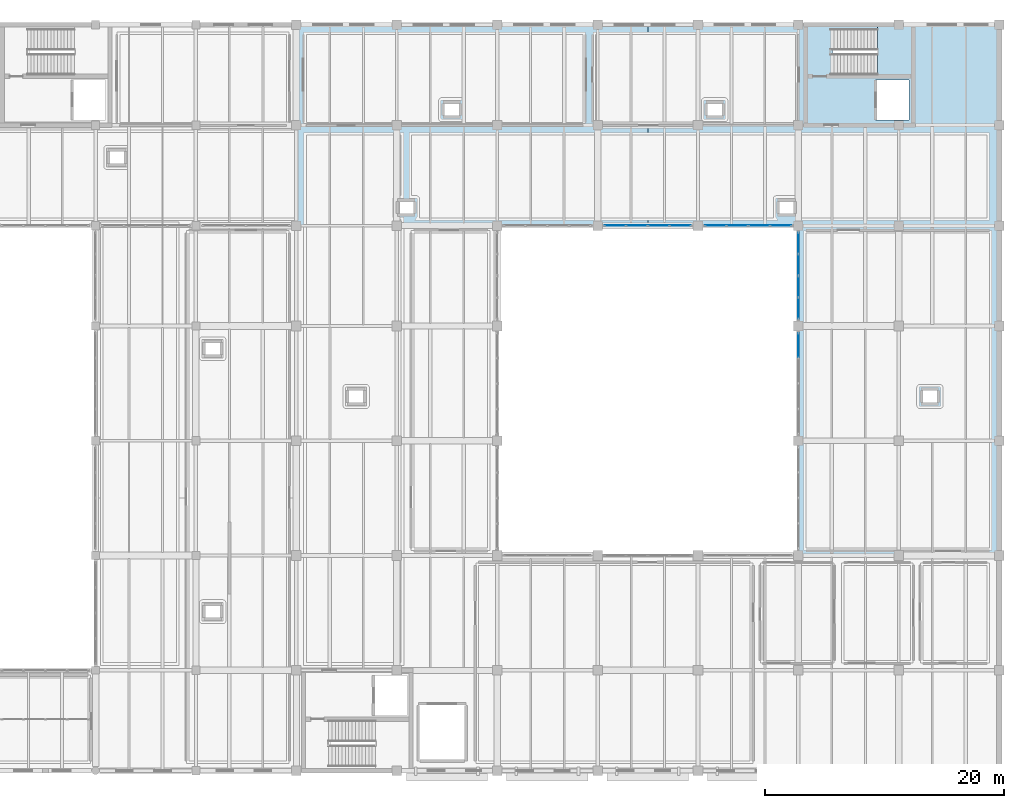
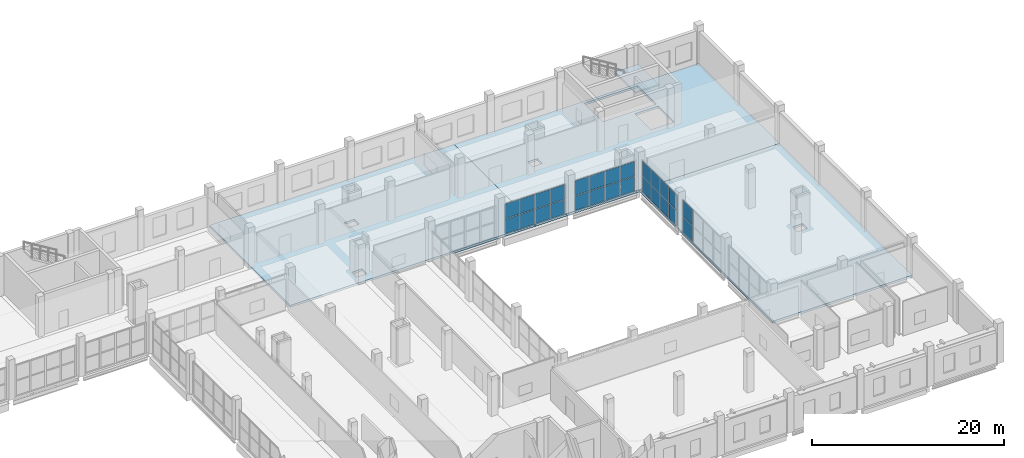
# One storey, part 53 of 73: 26 plates, 4 slabs, 5 elements without a shape of their own.
"""IFC4 building model written with IfcOpenShell, lengths in metres."""

from ifc_helpers import new_model, si_unit, direction, frame, origin, origin_2d, place, context, subcontext, project, spatial, polyline, rectangle, outline, extrude, material, layer, layer_set, type_object, element, aggregate, save


model = new_model("IFC4")

# Units and contexts
model_context = context("Model", 3, precision=1e-05, world=origin(), true_north=direction((0.0, 1.0)))
body_context = subcontext(model_context, "Body", "Model", "MODEL_VIEW")
ifc_project = project(units=[si_unit("LENGTHUNIT", "METRE"), si_unit("AREAUNIT", "SQUARE_METRE"), si_unit("VOLUMEUNIT", "CUBIC_METRE"), si_unit("PLANEANGLEUNIT", "RADIAN"), si_unit("MASSUNIT", "GRAM", prefix="KILO")], contexts=[model_context])

# Site, building, storey
site_placement = place(None, origin())
site = spatial("IfcSite", under=ifc_project, at=site_placement, CompositionType="ELEMENT")
building_placement = place(site_placement, origin())
building = spatial("IfcBuilding", under=site, at=building_placement, Name="Zulmaris Art Gallery", CompositionType="ELEMENT")
storey_placement = place(building_placement, frame((0.0, 0.0, 10.5)))
storey = spatial("IfcBuildingStorey", under=building, at=storey_placement, Name="L02", CompositionType="ELEMENT", Elevation=10.5)

# Curtain wall, plates
ifc_material_1 = material(Name="Courtyard Artists Studio Curtain Wall", Category="aluminium")
ifc_layer_1 = layer(ifc_material_1, 0.179931640625)
ifc_layer_set_1 = layer_set([ifc_layer_1], Name="Courtyard Artists Studio Curtain Wall")
curtain_wall_type = type_object("IfcCurtainWallType", Name="CW-CW04", PredefinedType="NOTDEFINED", material=ifc_layer_set_1)
curtain_wall_1_placement = place(storey_placement, origin())
curtain_wall_1 = element("IfcCurtainWall", 1, at=curtain_wall_1_placement, inside=storey, type_object=curtain_wall_type, Name="L02 curtain wall 138", PredefinedType="NOTDEFINED")
ifc_material_2 = material(Name="Triple Solar-Control Laminated Glass", Category="glass")
ifc_layer_2 = layer(ifc_material_2, 0.035888671875)
ifc_layer_set_2 = layer_set([ifc_layer_2], Name="Triple Solar-Control Laminated Glass")
plate_type = type_object("IfcPlateType", Name="CWPAN-GLZ", PredefinedType="CURTAIN_PANEL", material=ifc_layer_set_2)
plate_1_placement = place(storey_placement, frame((183.60009765625, 48.7763671875, 0.0751953125), z_axis=(0.0, 0.0, 1.0), x_axis=(0.0, -1.0, 0.0)))
plate_1 = element("IfcPlate", 2, at=plate_1_placement, type_object=plate_type, Name="CW04 panel 1.1", PredefinedType="CURTAIN_PANEL", context=body_context, shape_type="SweptSolid", body=[
    extrude(rectangle(XDim=2.017578125, YDim=0.031982421875, at=origin_2d()), origin(), (0.0, 0.0, 1.0), 1.992431640625),
])
plate_2_placement = place(storey_placement, frame((183.60009765625, 48.7763671875, 2.142578125), z_axis=(0.0, 0.0, 1.0), x_axis=(0.0, -1.0, 0.0)))
plate_2 = element("IfcPlate", 3, at=plate_2_placement, type_object=plate_type, Name="CW04 panel 1.2", PredefinedType="CURTAIN_PANEL", context=body_context, shape_type="SweptSolid", body=[
    extrude(rectangle(XDim=2.017578125, YDim=0.031982421875, at=origin_2d()), origin(), (0.0, 0.0, 1.0), 1.992431640625),
])
aggregate(curtain_wall_1, [plate_1, plate_2])

curtain_wall_2_placement = place(storey_placement, origin())
curtain_wall_2 = element("IfcCurtainWall", 4, at=curtain_wall_2_placement, inside=storey, type_object=curtain_wall_type, Name="L02 curtain wall 140", PredefinedType="NOTDEFINED")
plate_3_placement = place(storey_placement, frame((183.60009765625, 57.326171875, 0.074951171875), z_axis=(0.0, 0.0, 1.0), x_axis=(0.0, -1.0, 0.0)))
plate_3 = element("IfcPlate", 5, at=plate_3_placement, type_object=plate_type, Name="CW04 panel 1.1", PredefinedType="CURTAIN_PANEL", context=body_context, shape_type="SweptSolid", body=[
    extrude(rectangle(XDim=1.717529296875, YDim=0.031982421875, at=origin_2d()), origin(), (0.0, 0.0, 1.0), 1.9375),
])
plate_4_placement = place(storey_placement, frame((183.60009765625, 57.326171875, 2.08740234375), z_axis=(0.0, 0.0, 1.0), x_axis=(0.0, -1.0, 0.0)))
plate_4 = element("IfcPlate", 6, at=plate_4_placement, type_object=plate_type, Name="CW04 panel 1.2", PredefinedType="CURTAIN_PANEL", context=body_context, shape_type="SweptSolid", body=[
    extrude(rectangle(XDim=1.717529296875, YDim=0.031982421875, at=origin_2d()), origin(), (0.0, 0.0, 1.0), 1.9375),
])
plate_5_placement = place(storey_placement, frame((183.60009765625, 55.514892578125, 0.074951171875), z_axis=(0.0, 0.0, 1.0), x_axis=(0.0, -1.0, 0.0)))
plate_5 = element("IfcPlate", 7, at=plate_5_placement, type_object=plate_type, Name="CW04 panel 2.1", PredefinedType="CURTAIN_PANEL", context=body_context, shape_type="SweptSolid", body=[
    extrude(rectangle(XDim=1.7548828125, YDim=0.031982421875, at=origin_2d()), origin(), (0.0, 0.0, 1.0), 1.9375),
])
plate_6_placement = place(storey_placement, frame((183.60009765625, 55.514892578125, 2.08740234375), z_axis=(0.0, 0.0, 1.0), x_axis=(0.0, -1.0, 0.0)))
plate_6 = element("IfcPlate", 8, at=plate_6_placement, type_object=plate_type, Name="CW04 panel 2.2", PredefinedType="CURTAIN_PANEL", context=body_context, shape_type="SweptSolid", body=[
    extrude(rectangle(XDim=1.7548828125, YDim=0.031982421875, at=origin_2d()), origin(), (0.0, 0.0, 1.0), 1.9375),
])
plate_7_placement = place(storey_placement, frame((183.60009765625, 53.68505859375, 0.074951171875), z_axis=(0.0, 0.0, 1.0), x_axis=(0.0, -1.0, 0.0)))
plate_7 = element("IfcPlate", 9, at=plate_7_placement, type_object=plate_type, Name="CW04 panel 3.1", PredefinedType="CURTAIN_PANEL", context=body_context, shape_type="SweptSolid", body=[
    extrude(rectangle(XDim=1.7548828125, YDim=0.031982421875, at=origin_2d()), origin(), (0.0, 0.0, 1.0), 1.9375),
])
plate_8_placement = place(storey_placement, frame((183.60009765625, 53.68505859375, 2.08740234375), z_axis=(0.0, 0.0, 1.0), x_axis=(0.0, -1.0, 0.0)))
plate_8 = element("IfcPlate", 10, at=plate_8_placement, type_object=plate_type, Name="CW04 panel 3.2", PredefinedType="CURTAIN_PANEL", context=body_context, shape_type="SweptSolid", body=[
    extrude(rectangle(XDim=1.7548828125, YDim=0.031982421875, at=origin_2d()), origin(), (0.0, 0.0, 1.0), 1.9375),
])
plate_9_placement = place(storey_placement, frame((183.60009765625, 51.873779296875, 0.074951171875), z_axis=(0.0, 0.0, 1.0), x_axis=(0.0, -1.0, 0.0)))
plate_9 = element("IfcPlate", 11, at=plate_9_placement, type_object=plate_type, Name="CW04 panel 4.1", PredefinedType="CURTAIN_PANEL", context=body_context, shape_type="SweptSolid", body=[
    extrude(rectangle(XDim=1.717529296875, YDim=0.031982421875, at=origin_2d()), origin(), (0.0, 0.0, 1.0), 1.9375),
])
plate_10_placement = place(storey_placement, frame((183.60009765625, 51.873779296875, 2.08740234375), z_axis=(0.0, 0.0, 1.0), x_axis=(0.0, -1.0, 0.0)))
plate_10 = element("IfcPlate", 12, at=plate_10_placement, type_object=plate_type, Name="CW04 panel 4.2", PredefinedType="CURTAIN_PANEL", context=body_context, shape_type="SweptSolid", body=[
    extrude(rectangle(XDim=1.717529296875, YDim=0.031982421875, at=origin_2d()), origin(), (0.0, 0.0, 1.0), 1.9375),
])
aggregate(curtain_wall_2, [plate_3, plate_4, plate_5, plate_6, plate_7, plate_8, plate_9, plate_10])

curtain_wall_3_placement = place(storey_placement, origin())
curtain_wall_3 = element("IfcCurtainWall", 13, at=curtain_wall_3_placement, inside=storey, type_object=curtain_wall_type, Name="L02 curtain wall 143", PredefinedType="NOTDEFINED")
plate_11_placement = place(storey_placement, frame((173.726318359375, 58.800048828125, 0.074951171875), z_axis=(0.0, 0.0, 1.0), x_axis=(-1.0, 0.0, 0.0)))
plate_11 = element("IfcPlate", 14, at=plate_11_placement, type_object=plate_type, Name="CW04 panel 1.1", PredefinedType="CURTAIN_PANEL", context=body_context, shape_type="SweptSolid", body=[
    extrude(rectangle(XDim=1.717529296875, YDim=0.031982421875, at=origin_2d()), origin(), (0.0, 0.0, 1.0), 1.83740234375),
])
plate_12_placement = place(storey_placement, frame((173.726318359375, 58.800048828125, 1.987548828125), z_axis=(0.0, 0.0, 1.0), x_axis=(-1.0, 0.0, 0.0)))
plate_12 = element("IfcPlate", 15, at=plate_12_placement, type_object=plate_type, Name="CW04 panel 1.2", PredefinedType="CURTAIN_PANEL", context=body_context, shape_type="SweptSolid", body=[
    extrude(rectangle(XDim=1.717529296875, YDim=0.031982421875, at=origin_2d()), origin(), (0.0, 0.0, 1.0), 1.83740234375),
])
plate_13_placement = place(storey_placement, frame((171.9150390625, 58.800048828125, 0.074951171875), z_axis=(0.0, 0.0, 1.0), x_axis=(-1.0, 0.0, 0.0)))
plate_13 = element("IfcPlate", 16, at=plate_13_placement, type_object=plate_type, Name="CW04 panel 2.1", PredefinedType="CURTAIN_PANEL", context=body_context, shape_type="SweptSolid", body=[
    extrude(rectangle(XDim=1.7548828125, YDim=0.031982421875, at=origin_2d()), origin(), (0.0, 0.0, 1.0), 1.83740234375),
])
plate_14_placement = place(storey_placement, frame((171.9150390625, 58.800048828125, 1.987548828125), z_axis=(0.0, 0.0, 1.0), x_axis=(-1.0, 0.0, 0.0)))
plate_14 = element("IfcPlate", 17, at=plate_14_placement, type_object=plate_type, Name="CW04 panel 2.2", PredefinedType="CURTAIN_PANEL", context=body_context, shape_type="SweptSolid", body=[
    extrude(rectangle(XDim=1.7548828125, YDim=0.031982421875, at=origin_2d()), origin(), (0.0, 0.0, 1.0), 1.83740234375),
])
plate_15_placement = place(storey_placement, frame((170.0849609375, 58.800048828125, 0.074951171875), z_axis=(0.0, 0.0, 1.0), x_axis=(-1.0, 0.0, 0.0)))
plate_15 = element("IfcPlate", 18, at=plate_15_placement, type_object=plate_type, Name="CW04 panel 3.1", PredefinedType="CURTAIN_PANEL", context=body_context, shape_type="SweptSolid", body=[
    extrude(rectangle(XDim=1.7548828125, YDim=0.031982421875, at=origin_2d()), origin(), (0.0, 0.0, 1.0), 1.83740234375),
])
plate_16_placement = place(storey_placement, frame((170.0849609375, 58.800048828125, 1.987548828125), z_axis=(0.0, 0.0, 1.0), x_axis=(-1.0, 0.0, 0.0)))
plate_16 = element("IfcPlate", 19, at=plate_16_placement, type_object=plate_type, Name="CW04 panel 3.2", PredefinedType="CURTAIN_PANEL", context=body_context, shape_type="SweptSolid", body=[
    extrude(rectangle(XDim=1.7548828125, YDim=0.031982421875, at=origin_2d()), origin(), (0.0, 0.0, 1.0), 1.83740234375),
])
plate_17_placement = place(storey_placement, frame((168.273681640625, 58.800048828125, 0.074951171875), z_axis=(0.0, 0.0, 1.0), x_axis=(-1.0, 0.0, 0.0)))
plate_17 = element("IfcPlate", 20, at=plate_17_placement, type_object=plate_type, Name="CW04 panel 4.1", PredefinedType="CURTAIN_PANEL", context=body_context, shape_type="SweptSolid", body=[
    extrude(rectangle(XDim=1.717529296875, YDim=0.031982421875, at=origin_2d()), origin(), (0.0, 0.0, 1.0), 1.83740234375),
])
plate_18_placement = place(storey_placement, frame((168.273681640625, 58.800048828125, 1.987548828125), z_axis=(0.0, 0.0, 1.0), x_axis=(-1.0, 0.0, 0.0)))
plate_18 = element("IfcPlate", 21, at=plate_18_placement, type_object=plate_type, Name="CW04 panel 4.2", PredefinedType="CURTAIN_PANEL", context=body_context, shape_type="SweptSolid", body=[
    extrude(rectangle(XDim=1.717529296875, YDim=0.031982421875, at=origin_2d()), origin(), (0.0, 0.0, 1.0), 1.83740234375),
])
aggregate(curtain_wall_3, [plate_11, plate_12, plate_13, plate_14, plate_15, plate_16, plate_17, plate_18])

curtain_wall_4_placement = place(storey_placement, origin())
curtain_wall_4 = element("IfcCurtainWall", 22, at=curtain_wall_4_placement, inside=storey, type_object=curtain_wall_type, Name="L02 curtain wall 145", PredefinedType="NOTDEFINED")
plate_19_placement = place(storey_placement, frame((182.126220703125, 58.800048828125, 0.074951171875), z_axis=(0.0, 0.0, 1.0), x_axis=(-1.0, 0.0, 0.0)))
plate_19 = element("IfcPlate", 23, at=plate_19_placement, type_object=plate_type, Name="CW04 panel 1.1", PredefinedType="CURTAIN_PANEL", context=body_context, shape_type="SweptSolid", body=[
    extrude(rectangle(XDim=1.717529296875, YDim=0.031982421875, at=origin_2d()), origin(), (0.0, 0.0, 1.0), 1.83740234375),
])
plate_20_placement = place(storey_placement, frame((182.126220703125, 58.800048828125, 1.987548828125), z_axis=(0.0, 0.0, 1.0), x_axis=(-1.0, 0.0, 0.0)))
plate_20 = element("IfcPlate", 24, at=plate_20_placement, type_object=plate_type, Name="CW04 panel 1.2", PredefinedType="CURTAIN_PANEL", context=body_context, shape_type="SweptSolid", body=[
    extrude(rectangle(XDim=1.717529296875, YDim=0.031982421875, at=origin_2d()), origin(), (0.0, 0.0, 1.0), 1.83740234375),
])
plate_21_placement = place(storey_placement, frame((180.31494140625, 58.800048828125, 0.074951171875), z_axis=(0.0, 0.0, 1.0), x_axis=(-1.0, 0.0, 0.0)))
plate_21 = element("IfcPlate", 25, at=plate_21_placement, type_object=plate_type, Name="CW04 panel 2.1", PredefinedType="CURTAIN_PANEL", context=body_context, shape_type="SweptSolid", body=[
    extrude(rectangle(XDim=1.7548828125, YDim=0.031982421875, at=origin_2d()), origin(), (0.0, 0.0, 1.0), 1.83740234375),
])
plate_22_placement = place(storey_placement, frame((180.31494140625, 58.800048828125, 1.987548828125), z_axis=(0.0, 0.0, 1.0), x_axis=(-1.0, 0.0, 0.0)))
plate_22 = element("IfcPlate", 26, at=plate_22_placement, type_object=plate_type, Name="CW04 panel 2.2", PredefinedType="CURTAIN_PANEL", context=body_context, shape_type="SweptSolid", body=[
    extrude(rectangle(XDim=1.7548828125, YDim=0.031982421875, at=origin_2d()), origin(), (0.0, 0.0, 1.0), 1.83740234375),
])
plate_23_placement = place(storey_placement, frame((178.485107421875, 58.800048828125, 0.074951171875), z_axis=(0.0, 0.0, 1.0), x_axis=(-1.0, 0.0, 0.0)))
plate_23 = element("IfcPlate", 27, at=plate_23_placement, type_object=plate_type, Name="CW04 panel 3.1", PredefinedType="CURTAIN_PANEL", context=body_context, shape_type="SweptSolid", body=[
    extrude(rectangle(XDim=1.7548828125, YDim=0.031982421875, at=origin_2d()), origin(), (0.0, 0.0, 1.0), 1.83740234375),
])
plate_24_placement = place(storey_placement, frame((178.485107421875, 58.800048828125, 1.987548828125), z_axis=(0.0, 0.0, 1.0), x_axis=(-1.0, 0.0, 0.0)))
plate_24 = element("IfcPlate", 28, at=plate_24_placement, type_object=plate_type, Name="CW04 panel 3.2", PredefinedType="CURTAIN_PANEL", context=body_context, shape_type="SweptSolid", body=[
    extrude(rectangle(XDim=1.7548828125, YDim=0.031982421875, at=origin_2d()), origin(), (0.0, 0.0, 1.0), 1.83740234375),
])
plate_25_placement = place(storey_placement, frame((176.673828125, 58.800048828125, 0.074951171875), z_axis=(0.0, 0.0, 1.0), x_axis=(-1.0, 0.0, 0.0)))
plate_25 = element("IfcPlate", 29, at=plate_25_placement, type_object=plate_type, Name="CW04 panel 4.1", PredefinedType="CURTAIN_PANEL", context=body_context, shape_type="SweptSolid", body=[
    extrude(rectangle(XDim=1.717529296875, YDim=0.031982421875, at=origin_2d()), origin(), (0.0, 0.0, 1.0), 1.83740234375),
])
plate_26_placement = place(storey_placement, frame((176.673828125, 58.800048828125, 1.987548828125), z_axis=(0.0, 0.0, 1.0), x_axis=(-1.0, 0.0, 0.0)))
plate_26 = element("IfcPlate", 30, at=plate_26_placement, type_object=plate_type, Name="CW04 panel 4.2", PredefinedType="CURTAIN_PANEL", context=body_context, shape_type="SweptSolid", body=[
    extrude(rectangle(XDim=1.717529296875, YDim=0.031982421875, at=origin_2d()), origin(), (0.0, 0.0, 1.0), 1.83740234375),
])
aggregate(curtain_wall_4, [plate_19, plate_20, plate_21, plate_22, plate_23, plate_24, plate_25, plate_26])

# Slabs
ifc_material_3 = material(Name="Concrete C40/50", Category="concrete")
ifc_layer_3 = layer(ifc_material_3, 0.27001953125)
ifc_layer_set_3 = layer_set([ifc_layer_3], Name="Concrete C40/50")
slab_type_1 = type_object("IfcSlabType", Name="SLAB-SL-FL06", PredefinedType="FLOOR", material=ifc_layer_set_3)
slab_1_placement = place(storey_placement, frame((0.0, 0.0, -0.27001953125)))
element("IfcSlab", 31, at=slab_1_placement, inside=storey, type_object=slab_type_1, Name="L02 V5-E slab", PredefinedType="FLOOR", context=body_context, shape_type="SweptSolid", body=[
    extrude(outline(polyline([(183.60009765625, 31.199951171875), (183.60009765625, 58.800048828125), (200.39990234375, 58.800048828125), (200.39990234375, 31.199951171875), (183.60009765625, 31.199951171875)]), holes=[polyline([(195.199951171875, 44.0), (195.199951171875, 45.0), (194.0, 45.0), (194.0, 44.0), (195.199951171875, 44.0)])]), origin(), (0.0, 0.0, 1.0), 0.27001953125),
])
slab_2_placement = place(storey_placement, frame((0.0, 0.0, -0.27001953125)))
element("IfcSlab", 32, at=slab_2_placement, inside=storey, type_object=slab_type_1, Name="L02 V5-NW slab", PredefinedType="FLOOR", context=body_context, shape_type="SweptSolid", body=[
    extrude(outline(polyline([(171.0, 75.60009765625), (171.0, 58.800048828125), (158.39990234375, 58.800048828125), (141.60009765625, 58.800048828125), (141.60009765625, 75.60009765625), (171.0, 75.60009765625)]), holes=[polyline([(151.39990234375, 59.800048828125), (151.39990234375, 60.800048828125), (150.199951171875, 60.800048828125), (150.199951171875, 59.800048828125), (151.39990234375, 59.800048828125)]), polyline([(155.199951171875, 68.0), (155.199951171875, 69.0), (154.0, 69.0), (154.0, 68.0), (155.199951171875, 68.0)])]), origin(), (0.0, 0.0, 1.0), 0.27001953125),
])
slab_3_placement = place(storey_placement, frame((0.0, 0.0, -0.27001953125)))
element("IfcSlab", 33, at=slab_3_placement, inside=storey, type_object=slab_type_1, Name="L02 V5-NE slab", PredefinedType="FLOOR", context=body_context, shape_type="SweptSolid", body=[
    extrude(outline(polyline([(200.39990234375, 58.800048828125), (183.60009765625, 58.800048828125), (171.0, 58.800048828125), (171.0, 75.60009765625), (200.39990234375, 75.60009765625), (200.39990234375, 58.800048828125)]), holes=[polyline([(183.199951171875, 59.800048828125), (183.199951171875, 60.800048828125), (182.0, 60.800048828125), (182.0, 59.800048828125), (183.199951171875, 59.800048828125)]), polyline([(177.199951171875, 68.0), (177.199951171875, 69.0), (176.0, 69.0), (176.0, 68.0), (177.199951171875, 68.0)]), polyline([(192.85009765625, 67.64990234375), (192.85009765625, 70.97998046875), (190.050048828125, 70.97998046875), (190.050048828125, 67.64990234375), (192.85009765625, 67.64990234375)]), polyline([(186.4599609375, 71.409912109375), (192.85009765625, 71.409912109375), (192.85009765625, 75.25), (186.4599609375, 75.25), (186.4599609375, 71.409912109375)])]), origin(), (0.0, 0.0, 1.0), 0.27001953125),
])

# Stair, slab
stair_type = type_object("IfcStairType", Name="STAIR-CORE", PredefinedType="HALF_TURN_STAIR", material=ifc_material_3)
stair_placement = place(storey_placement, origin())
stair = element("IfcStair", 34, at=stair_placement, inside=storey, type_object=stair_type, Name="L02 Exit Stair ST4", PredefinedType="HALF_TURN_STAIR")
ifc_layer_4 = layer(ifc_material_3, 0.2099609375)
ifc_layer_set_4 = layer_set([ifc_layer_4], Name="Concrete C40/50")
slab_type_2 = type_object("IfcSlabType", Name="SLAB-STLND", PredefinedType="LANDING", material=ifc_layer_set_4)
slab_4_placement = place(storey_placement, frame((0.0, 0.0, 2.35009765625)))
slab_4 = element("IfcSlab", 35, at=slab_4_placement, type_object=slab_type_2, Name="ST4 landing 1", PredefinedType="LANDING", context=body_context, shape_type="SweptSolid", body=[
    extrude(outline(polyline([(190.219970703125, 71.18994140625), (193.050048828125, 71.18994140625), (193.050048828125, 75.469970703125), (190.219970703125, 75.469970703125), (190.219970703125, 71.18994140625)])), origin(), (0.0, 0.0, 1.0), 0.199951171875),
])
aggregate(stair, [slab_4])

save(model, "model.ifc")
